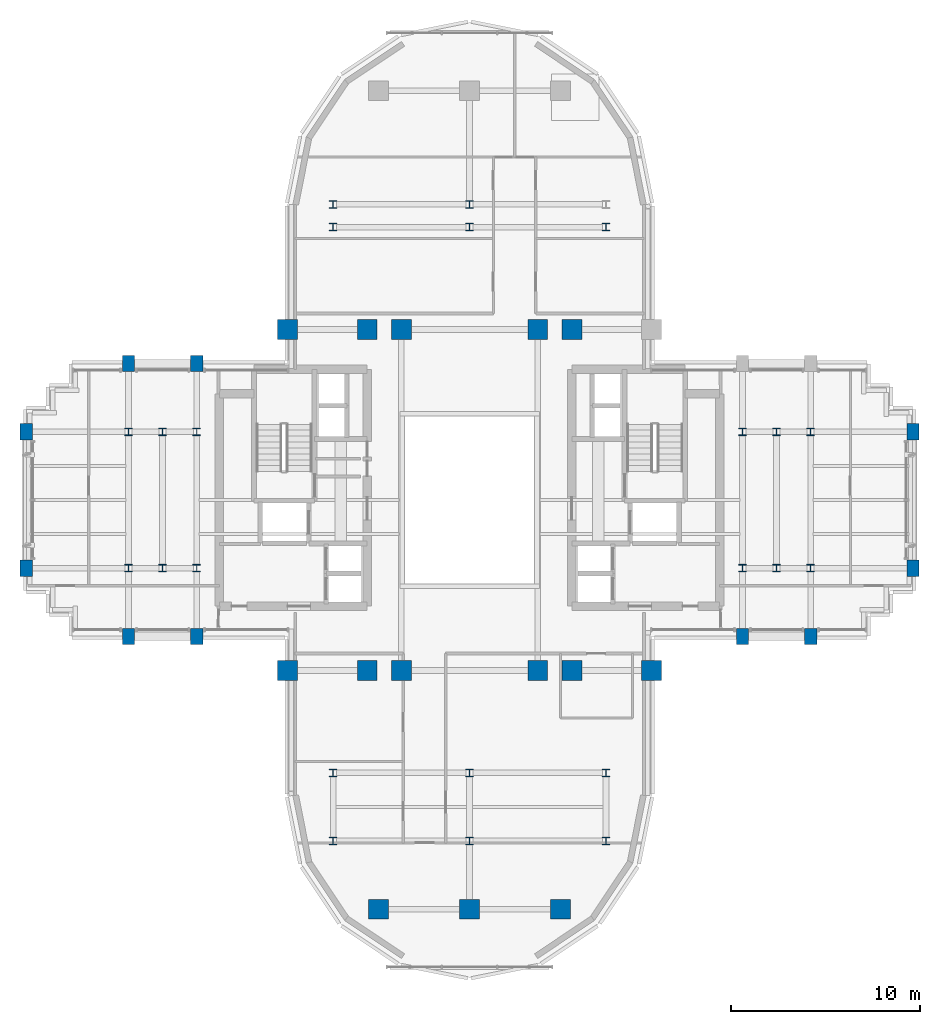
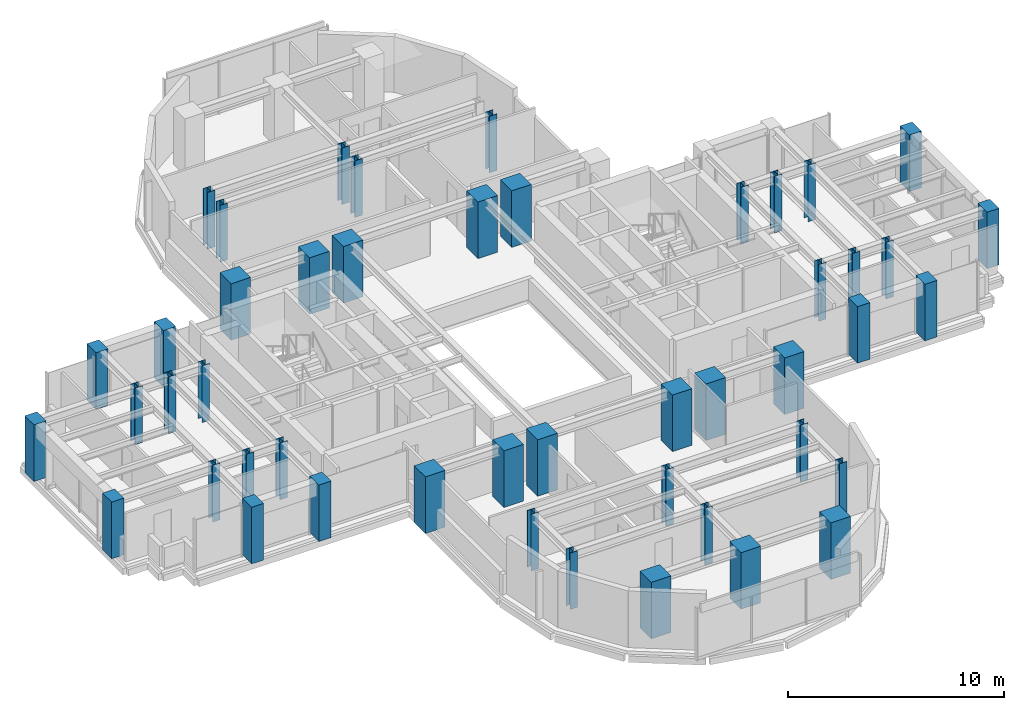
# One storey, part 1 of 14: 47 columns.
"""IFC4 building model written with IfcOpenShell, lengths in metres."""

import ifcopenshell
import ifcopenshell.guid

model = None  # the IFC model being written
_history = None  # IfcOwnerHistory: only IFC2X3 demands one
_inside = {}  # id of a spatial element -> (the spatial element, [elements in it])
_under = {}  # id of a project, library or spatial element -> (it, [spatial elements below it])
_declared = {}  # id of a project -> (the project, [libraries it declares])
_typed = {}  # id of a type object -> (the type object, [elements of that type])
_made_of = {}  # id of a material, layer set ... -> (it, [elements and type objects made of it])


def new_model(schema):
    """Start an empty IFC model of exactly this schema.

    Asked for "IFC4X3", IfcOpenShell would pick the latest addendum, in which some entities
    have other attributes; the version numbers below select the first issue.
    IFC2X3 requires an IfcOwnerHistory on every rooted entity: one is made here for all.
    """
    global model, _history
    if schema == "IFC4X3":
        model = ifcopenshell.file(schema_version=(4, 3, 0, 0))
    else:
        model = ifcopenshell.file(schema=schema)
    _inside.clear()
    _under.clear()
    _declared.clear()
    _typed.clear()
    _made_of.clear()
    _history = None
    if model.schema == "IFC2X3":
        org = make("IfcOrganization", Name="unknown")
        user = make(
            "IfcPersonAndOrganization",
            ThePerson=make("IfcPerson", FamilyName="unknown"),
            TheOrganization=org,
        )
        app = make(
            "IfcApplication",
            ApplicationDeveloper=org,
            Version="unknown",
            ApplicationFullName="unknown",
            ApplicationIdentifier="unknown",
        )
        _history = make(
            "IfcOwnerHistory",
            OwningUser=user,
            OwningApplication=app,
            ChangeAction="ADDED",
            CreationDate=0,
        )
    return model


def make(cls, **values):
    """One entity of the class cls with the attributes given. An attribute that is None is left unset."""
    return model.create_entity(
        cls, **{name: value for name, value in values.items() if value is not None}
    )


def rooted(cls, **values):
    """An entity with a GlobalId (a new one), such as an element, a storey or a relation."""
    return make(cls, GlobalId=ifcopenshell.guid.new(), OwnerHistory=_history, **values)


def si_unit(unit_type, name, prefix=None):
    """IfcSIUnit, for example si_unit("LENGTHUNIT", "METRE", prefix="MILLI")."""
    return make("IfcSIUnit", UnitType=unit_type, Prefix=prefix, Name=name)


def assignment(units):
    """IfcUnitAssignment: the units of a project."""
    return None if units is None else make("IfcUnitAssignment", Units=units)


def point(xyz):
    """IfcCartesianPoint."""
    return None if xyz is None else make("IfcCartesianPoint", Coordinates=xyz)


def direction(xyz):
    """IfcDirection."""
    return None if xyz is None else make("IfcDirection", DirectionRatios=xyz)


def frame(location, z_axis=None, x_axis=None):
    """IfcAxis2Placement3D, a coordinate frame: its origin and axes. An axis left out is left unset."""
    return make(
        "IfcAxis2Placement3D",
        Location=point(location),
        Axis=direction(z_axis),
        RefDirection=direction(x_axis),
    )


def frame_2d(location, x_axis=None):
    """IfcAxis2Placement2D, a coordinate frame in the plane: its origin and x axis."""
    return make(
        "IfcAxis2Placement2D", Location=point(location), RefDirection=direction(x_axis)
    )


def origin():
    """The frame at (0, 0, 0) with its axes left unset."""
    return frame((0.0, 0.0, 0.0))


def origin_2d():
    """The frame at (0, 0) in the plane with its x axis left unset."""
    return frame_2d((0.0, 0.0))


def place(relative_to, where):
    """IfcLocalPlacement: puts the frame where relative to a parent placement (None: the world)."""
    return make(
        "IfcLocalPlacement", PlacementRelTo=relative_to, RelativePlacement=where
    )


def context(
    kind, dimensions, precision=None, world=None, true_north=None, identifier=None
):
    """IfcGeometricRepresentationContext, for example the 3D "Model" context."""
    return make(
        "IfcGeometricRepresentationContext",
        ContextIdentifier=identifier,
        ContextType=kind,
        CoordinateSpaceDimension=dimensions,
        Precision=precision,
        WorldCoordinateSystem=world,
        TrueNorth=true_north,
    )


def subcontext(parent, identifier, kind, view, scale=None):
    """IfcGeometricRepresentationSubContext, for example "Body" below "Model"."""
    return make(
        "IfcGeometricRepresentationSubContext",
        ContextIdentifier=identifier,
        ContextType=kind,
        ParentContext=parent,
        TargetScale=scale,
        TargetView=view,
    )


def project(units=None, contexts=None):
    """IfcProject with its units and contexts."""
    return rooted(
        "IfcProject",
        Name="project",
        RepresentationContexts=contexts,
        UnitsInContext=assignment(units),
    )


def spatial(cls, under=None, at=None, **own):
    """A site, building, storey or space (cls), placed at a placement, below another one or the project."""
    s = rooted(cls, ObjectPlacement=at, **own)
    if under is not None:
        _under.setdefault(under.id(), (under, []))[1].append(s)
    return s


def profile(cls, at=None, kind="AREA", **sizes):
    """A parametric profile (cls). Its sizes go by their IFC names, for example OverallWidth=200.0."""
    return make(cls, ProfileType=kind, Position=at, **sizes)


def rectangle(**sizes):
    """IfcRectangleProfileDef."""
    return profile("IfcRectangleProfileDef", **sizes)


def i_section(**sizes):
    """IfcIShapeProfileDef."""
    return profile("IfcIShapeProfileDef", **sizes)


def extrude(swept, where, along, depth):
    """IfcExtrudedAreaSolid: the profile swept, set in the frame where, extruded along a direction by depth."""
    return make(
        "IfcExtrudedAreaSolid",
        SweptArea=swept,
        Position=where,
        ExtrudedDirection=direction(along),
        Depth=depth,
    )


def shape(context_of_items, identifier, shape_type, items):
    """IfcShapeRepresentation: the items that make up one representation, for example the "Body"."""
    return make(
        "IfcShapeRepresentation",
        ContextOfItems=context_of_items,
        RepresentationIdentifier=identifier,
        RepresentationType=shape_type,
        Items=items,
    )


def source(mapping_origin, context_of_items, identifier, shape_type, items):
    """IfcRepresentationMap: a shape defined once, which mapped items show again and again."""
    return make(
        "IfcRepresentationMap",
        MappingOrigin=mapping_origin,
        MappedRepresentation=shape(context_of_items, identifier, shape_type, items),
    )


def transform(
    local_origin,
    x_axis=None,
    y_axis=None,
    z_axis=None,
    scale=None,
    scale2=None,
    scale3=None,
    uniform=True,
):
    """IfcCartesianTransformationOperator3D, or its non-uniform kind. x_axis, y_axis, z_axis: its Axis1, 2, 3."""
    if uniform:
        return make(
            "IfcCartesianTransformationOperator3D",
            Axis1=direction(x_axis),
            Axis2=direction(y_axis),
            LocalOrigin=point(local_origin),
            Scale=scale,
            Axis3=direction(z_axis),
        )
    return make(
        "IfcCartesianTransformationOperator3DnonUniform",
        Axis1=direction(x_axis),
        Axis2=direction(y_axis),
        LocalOrigin=point(local_origin),
        Scale=scale,
        Axis3=direction(z_axis),
        Scale2=scale2,
        Scale3=scale3,
    )


def mapped(mapping_source, mapping_target):
    """IfcMappedItem: shows the shape of a source again, moved by a transform."""
    return make(
        "IfcMappedItem", MappingSource=mapping_source, MappingTarget=mapping_target
    )


def material(Name=None, Category=None):
    """IfcMaterial."""
    return make("IfcMaterial", Name=Name, Category=Category)


def material_profile(
    of_material, cross_section, Name=None, Category=None, Priority=None
):
    """IfcMaterialProfile: a cross section and its material."""
    return make(
        "IfcMaterialProfile",
        Name=Name,
        Material=of_material,
        Profile=cross_section,
        Priority=Priority,
        Category=Category,
    )


def profile_set(profiles, Name=None, composite=None):
    """IfcMaterialProfileSet."""
    return make(
        "IfcMaterialProfileSet",
        Name=Name,
        MaterialProfiles=profiles,
        CompositeProfile=composite,
    )


def made_of(thing, what):
    """Note that an element or type object is made of a material, layer set ...; save() writes the relation."""
    if what is not None:
        _made_of.setdefault(what.id(), (what, []))[1].append(thing)
    return thing


def type_object(cls, material=None, **own):
    """A type object (cls), such as IfcWallType, which elements share."""
    return made_of(rooted(cls, **own), material)


def element(
    cls,
    number,
    at=None,
    inside=None,
    cuts=None,
    type_object=None,
    material=None,
    context=None,
    identifier="Body",
    shape_type=None,
    held_by="IfcProductDefinitionShape",
    body=None,
    shapes=None,
    **own,
):
    """One element of the class cls, such as IfcWall. Its Tag is "e" and its number.

    at: its placement. inside: the storey or other place that contains it. cuts: it is an
    opening in that element (IfcRelVoidsElement). A single representation is given by context,
    identifier, shape_type and body (its items); several are given by shapes. held_by: the class
    of the entity that holds the representations. save() writes the other relations.
    """
    e = rooted(cls, Tag="e%d" % number, ObjectPlacement=at, **own)
    if body is not None:
        shapes = [shape(context, identifier, shape_type, body)]
    if shapes is not None:
        e.Representation = make(held_by, Representations=shapes)
    if inside is not None:
        _inside.setdefault(inside.id(), (inside, []))[1].append(e)
    if cuts is not None:
        rooted(
            "IfcRelVoidsElement", RelatingBuildingElement=cuts, RelatedOpeningElement=e
        )
    if type_object is not None:
        _typed.setdefault(type_object.id(), (type_object, []))[1].append(e)
    return made_of(e, material)


def aggregate(whole, parts):
    """IfcRelAggregates: a whole, such as a stair, and the parts it consists of."""
    return rooted("IfcRelAggregates", RelatingObject=whole, RelatedObjects=parts)


def save(model, path):
    """Write the relations noted so far, then the file.

    IfcRelAggregates (storeys below a building ...), IfcRelContainedInSpatialStructure (elements
    in a storey), IfcRelDefinesByType, IfcRelAssociatesMaterial and IfcRelDeclares: one each for
    every whole, place, type object, material and project.
    """
    for whole, parts in _under.values():
        aggregate(whole, parts)
    for where, things in _inside.values():
        rooted(
            "IfcRelContainedInSpatialStructure",
            RelatedElements=things,
            RelatingStructure=where,
        )
    for kind, things in _typed.values():
        rooted("IfcRelDefinesByType", RelatedObjects=things, RelatingType=kind)
    for what, things in _made_of.values():
        rooted("IfcRelAssociatesMaterial", RelatedObjects=things, RelatingMaterial=what)
    for by, libraries in _declared.values():
        rooted("IfcRelDeclares", RelatingContext=by, RelatedDefinitions=libraries)
    model.write(path)


model = new_model("IFC4")

# Units and contexts
model_context = context("Model", 3, precision=1e-05, world=origin(), true_north=direction((0.0, 1.0)))
body_context = subcontext(model_context, "Body", "Model", "MODEL_VIEW")
ifc_project = project(units=[si_unit("LENGTHUNIT", "METRE"), si_unit("AREAUNIT", "SQUARE_METRE"), si_unit("VOLUMEUNIT", "CUBIC_METRE"), si_unit("PLANEANGLEUNIT", "RADIAN"), si_unit("MASSUNIT", "GRAM", prefix="KILO")], contexts=[model_context])

# Site, building, storey
site_placement = place(None, origin())
site = spatial("IfcSite", under=ifc_project, at=site_placement, CompositionType="ELEMENT")
building_placement = place(site_placement, origin())
building = spatial("IfcBuilding", under=site, at=building_placement, Name="Keilestroom Media Tower", CompositionType="ELEMENT")
storey_placement = place(building_placement, frame((0.0, 0.0, 114.199951171875)))
storey = spatial("IfcBuildingStorey", under=building, at=storey_placement, Name="L30", CompositionType="ELEMENT", Elevation=114.199951171875)

# Columns
ifc_material_1 = material(Name="Precast concrete C40/50", Category="concrete")
ifc_material_profile_1 = material_profile(ifc_material_1, rectangle(XDim=0.64990234375, YDim=0.85009765625, at=origin_2d()), Name="PC 850x650")
ifc_profile_set_1 = profile_set([ifc_material_profile_1], Name="Precast concrete C40/50")
column_type_1 = type_object("IfcColumnType", Name="Structural-Column-PC-850x650", PredefinedType="COLUMN", material=ifc_profile_set_1)
shared_shape_1 = source(origin(), body_context, "Body", "SweptSolid", [
    extrude(rectangle(XDim=0.64990234375, YDim=0.85009765625, at=origin_2d()), origin(), (0.0, 0.0, 1.0), 3.199951171875),
])
for number, where, z_axis, x_axis, name in (
    (1, (-23.39990234375, -3.60009765625, 0.0), (0.0, 0.0, 1.0), (1.0, 0.0, 0.0), "L30 Column PC-2 (-23.4,-3.6)"),
    (2, (-23.39990234375, 3.60009765625, 0.0), (0.0, 0.0, 1.0), (1.0, 0.0, 0.0), "L30 Column PC-2 (-23.4,+3.6)"),
    (3, (-18.0, -7.199951171875, 0.0), (0.0, 0.0, 1.0), (1.0, 0.0, 0.0), "L30 Column PC-2 (-18.0,-7.2)"),
    (4, (-18.0, 7.199951171875, 0.0), (0.0, 0.0, 1.0), (1.0, 0.0, 0.0), "L30 Column PC-2 (-18.0,+7.2)"),
    (5, (-14.39990234375, -7.199951171875, 0.0), (0.0, 0.0, 1.0), (1.0, 0.0, 0.0), "L30 Column PC-2 (-14.4,-7.2)"),
    (6, (-14.39990234375, 7.199951171875, 0.0), (0.0, 0.0, 1.0), (1.0, 0.0, 0.0), "L30 Column PC-2 (-14.4,+7.2)"),
    (7, (14.39990234375, -7.199951171875, 0.0), (0.0, 0.0, 1.0), (1.0, 0.0, 0.0), "L30 Column PC-2 (+14.4,-7.2)"),
    (8, (18.0, -7.199951171875, 0.0), (0.0, 0.0, 1.0), (1.0, 0.0, 0.0), "L30 Column PC-2 (+18.0,-7.2)"),
    (9, (23.39990234375, -3.60009765625, 0.0), (0.0, 0.0, 1.0), (1.0, 0.0, 0.0), "L30 Column PC-2 (+23.4,-3.6)"),
    (10, (23.39990234375, 3.60009765625, 0.0), (0.0, 0.0, 1.0), (1.0, 0.0, 0.0), "L30 Column PC-2 (+23.4,+3.6)"),
):
    element("IfcColumn", number, at=place(storey_placement, frame(where, z_axis=z_axis, x_axis=x_axis)), inside=storey, type_object=column_type_1, Name=name, PredefinedType="COLUMN", context=body_context, shape_type="MappedRepresentation", body=[
        mapped(shared_shape_1, transform((0.0, 0.0, 0.0), x_axis=(1.0, 0.0, 0.0), y_axis=(0.0, 1.0, 0.0), z_axis=(0.0, 0.0, 1.0), scale=1.0)),
    ])
ifc_material_2 = material(Name="Steel S355", Category="steel")
ifc_material_profile_2 = material_profile(ifc_material_2, i_section(OverallWidth=0.40087890625, OverallDepth=0.39892578125, WebThickness=0.02001953125, FlangeThickness=0.031982421875, at=origin_2d()), Name="HD 400x314")
ifc_profile_set_2 = profile_set([ifc_material_profile_2], Name="Steel S355")
column_type_2 = type_object("IfcColumnType", Name="Structural-Column-HD-400x314", PredefinedType="COLUMN", material=ifc_profile_set_2)
shared_shape_2 = source(origin(), body_context, "Body", "SweptSolid", [
    extrude(i_section(OverallWidth=0.40087890625, OverallDepth=0.39892578125, WebThickness=0.02001953125, FlangeThickness=0.031982421875, at=origin_2d()), origin(), (0.0, 0.0, 1.0), 3.199951171875),
])
for number, where, z_axis, x_axis, name in (
    (11, (-18.0, -3.60009765625, 0.0), (0.0, 0.0, 1.0), (1.0, 0.0, 0.0), "L30 Column SC-3 (-18.0,-3.6)"),
    (12, (-18.0, 3.60009765625, 0.0), (0.0, 0.0, 1.0), (1.0, 0.0, 0.0), "L30 Column SC-3 (-18.0,+3.6)"),
    (13, (-16.199951171875, -3.60009765625, 0.0), (0.0, 0.0, 1.0), (1.0, 0.0, 0.0), "L30 Column SC-3 (-16.2,-3.6)"),
    (14, (-16.199951171875, 3.60009765625, 0.0), (0.0, 0.0, 1.0), (1.0, 0.0, 0.0), "L30 Column SC-3 (-16.2,+3.6)"),
    (15, (-14.39990234375, -3.60009765625, 0.0), (0.0, 0.0, 1.0), (1.0, 0.0, 0.0), "L30 Column SC-3 (-14.4,-3.6)"),
    (16, (-14.39990234375, 3.60009765625, 0.0), (0.0, 0.0, 1.0), (1.0, 0.0, 0.0), "L30 Column SC-3 (-14.4,+3.6)"),
    (17, (-7.199951171875, -18.0, 0.0), (0.0, 0.0, 1.0), (1.0, 0.0, 0.0), "L30 Column SC-3 (-7.2,-18.0)"),
    (18, (-7.199951171875, -14.39990234375, 0.0), (0.0, 0.0, 1.0), (1.0, 0.0, 0.0), "L30 Column SC-3 (-7.2,-14.4)"),
    (19, (-7.199951171875, 14.39990234375, 0.0), (0.0, 0.0, 1.0), (1.0, 0.0, 0.0), "L30 Column SC-3 (-7.2,+14.4)"),
    (20, (-7.199951171875, 15.60009765625, 0.0), (0.0, 0.0, 1.0), (1.0, 0.0, 0.0), "L30 Column SC-3 (-7.2,+15.6)"),
    (21, (0.0, -18.0, 0.0), (0.0, 0.0, 1.0), (1.0, 0.0, 0.0), "L30 Column SC-3 (+0.0,-18.0)"),
    (22, (0.0, -14.39990234375, 0.0), (0.0, 0.0, 1.0), (1.0, 0.0, 0.0), "L30 Column SC-3 (+0.0,-14.4)"),
    (23, (0.0, 14.39990234375, 0.0), (0.0, 0.0, 1.0), (1.0, 0.0, 0.0), "L30 Column SC-3 (+0.0,+14.4)"),
    (24, (0.0, 15.60009765625, 0.0), (0.0, 0.0, 1.0), (1.0, 0.0, 0.0), "L30 Column SC-3 (+0.0,+15.6)"),
    (25, (7.199951171875, -18.0, 0.0), (0.0, 0.0, 1.0), (1.0, 0.0, 0.0), "L30 Column SC-3 (+7.2,-18.0)"),
    (26, (7.199951171875, -14.39990234375, 0.0), (0.0, 0.0, 1.0), (1.0, 0.0, 0.0), "L30 Column SC-3 (+7.2,-14.4)"),
    (27, (7.199951171875, 14.39990234375, 0.0), (0.0, 0.0, 1.0), (1.0, 0.0, 0.0), "L30 Column SC-3 (+7.2,+14.4)"),
    (28, (14.39990234375, -3.60009765625, 0.0), (0.0, 0.0, 1.0), (1.0, 0.0, 0.0), "L30 Column SC-3 (+14.4,-3.6)"),
    (29, (14.39990234375, 3.60009765625, 0.0), (0.0, 0.0, 1.0), (1.0, 0.0, 0.0), "L30 Column SC-3 (+14.4,+3.6)"),
    (30, (16.199951171875, -3.60009765625, 0.0), (0.0, 0.0, 1.0), (1.0, 0.0, 0.0), "L30 Column SC-3 (+16.2,-3.6)"),
    (31, (16.199951171875, 3.60009765625, 0.0), (0.0, 0.0, 1.0), (1.0, 0.0, 0.0), "L30 Column SC-3 (+16.2,+3.6)"),
    (32, (18.0, -3.60009765625, 0.0), (0.0, 0.0, 1.0), (1.0, 0.0, 0.0), "L30 Column SC-3 (+18.0,-3.6)"),
    (33, (18.0, 3.60009765625, 0.0), (0.0, 0.0, 1.0), (1.0, 0.0, 0.0), "L30 Column SC-3 (+18.0,+3.6)"),
):
    element("IfcColumn", number, at=place(storey_placement, frame(where, z_axis=z_axis, x_axis=x_axis)), inside=storey, type_object=column_type_2, Name=name, PredefinedType="COLUMN", context=body_context, shape_type="MappedRepresentation", body=[
        mapped(shared_shape_2, transform((0.0, 0.0, 0.0), x_axis=(1.0, 0.0, 0.0), y_axis=(0.0, 1.0, 0.0), z_axis=(0.0, 0.0, 1.0), scale=1.0)),
    ])
ifc_material_3 = material(Name="Concrete C55/67", Category="concrete")
ifc_material_profile_3 = material_profile(ifc_material_3, rectangle(XDim=1.050048828125, YDim=1.050048828125, at=origin_2d()), Name="RC 1050x1050")
ifc_profile_set_3 = profile_set([ifc_material_profile_3], Name="Concrete C55/67")
column_type_3 = type_object("IfcColumnType", Name="Structural-Column-RC-1050x1050", PredefinedType="COLUMN", material=ifc_profile_set_3)
shared_shape_3 = source(origin(), body_context, "Body", "SweptSolid", [
    extrude(rectangle(XDim=1.050048828125, YDim=1.050048828125, at=origin_2d()), origin(), (0.0, 0.0, 1.0), 3.199951171875),
])
for number, where, z_axis, x_axis, name in (
    (34, (-9.60009765625, -9.0, 0.0), (0.0, 0.0, 1.0), (1.0, 0.0, 0.0), "L30 Column MC-3 (-9.6,-9.0)"),
    (35, (-9.60009765625, 9.0, 0.0), (0.0, 0.0, 1.0), (1.0, 0.0, 0.0), "L30 Column MC-3 (-9.6,+9.0)"),
    (36, (-5.39990234375, -9.0, 0.0), (0.0, 0.0, 1.0), (1.0, 0.0, 0.0), "L30 Column MC-3 (-5.4,-9.0)"),
    (37, (-5.39990234375, 9.0, 0.0), (0.0, 0.0, 1.0), (1.0, 0.0, 0.0), "L30 Column MC-3 (-5.4,+9.0)"),
    (38, (-4.800048828125, -21.60009765625, 0.0), (0.0, 0.0, 1.0), (1.0, 0.0, 0.0), "L30 Column MC-3 (-4.8,-21.6)"),
    (39, (-3.60009765625, -9.0, 0.0), (0.0, 0.0, 1.0), (1.0, 0.0, 0.0), "L30 Column MC-3 (-3.6,-9.0)"),
    (40, (-3.60009765625, 9.0, 0.0), (0.0, 0.0, 1.0), (1.0, 0.0, 0.0), "L30 Column MC-3 (-3.6,+9.0)"),
    (41, (0.0, -21.60009765625, 0.0), (0.0, 0.0, 1.0), (1.0, 0.0, 0.0), "L30 Column MC-3 (+0.0,-21.6)"),
    (42, (3.60009765625, -9.0, 0.0), (0.0, 0.0, 1.0), (1.0, 0.0, 0.0), "L30 Column MC-3 (+3.6,-9.0)"),
    (43, (3.60009765625, 9.0, 0.0), (0.0, 0.0, 1.0), (1.0, 0.0, 0.0), "L30 Column MC-3 (+3.6,+9.0)"),
    (44, (4.800048828125, -21.60009765625, 0.0), (0.0, 0.0, 1.0), (1.0, 0.0, 0.0), "L30 Column MC-3 (+4.8,-21.6)"),
    (45, (5.39990234375, -9.0, 0.0), (0.0, 0.0, 1.0), (1.0, 0.0, 0.0), "L30 Column MC-3 (+5.4,-9.0)"),
    (46, (5.39990234375, 9.0, 0.0), (0.0, 0.0, 1.0), (1.0, 0.0, 0.0), "L30 Column MC-3 (+5.4,+9.0)"),
    (47, (9.60009765625, -9.0, 0.0), (0.0, 0.0, 1.0), (1.0, 0.0, 0.0), "L30 Column MC-3 (+9.6,-9.0)"),
):
    element("IfcColumn", number, at=place(storey_placement, frame(where, z_axis=z_axis, x_axis=x_axis)), inside=storey, type_object=column_type_3, Name=name, PredefinedType="COLUMN", context=body_context, shape_type="MappedRepresentation", body=[
        mapped(shared_shape_3, transform((0.0, 0.0, 0.0), x_axis=(1.0, 0.0, 0.0), y_axis=(0.0, 1.0, 0.0), z_axis=(0.0, 0.0, 1.0), scale=1.0)),
    ])

save(model, "model.ifc")
